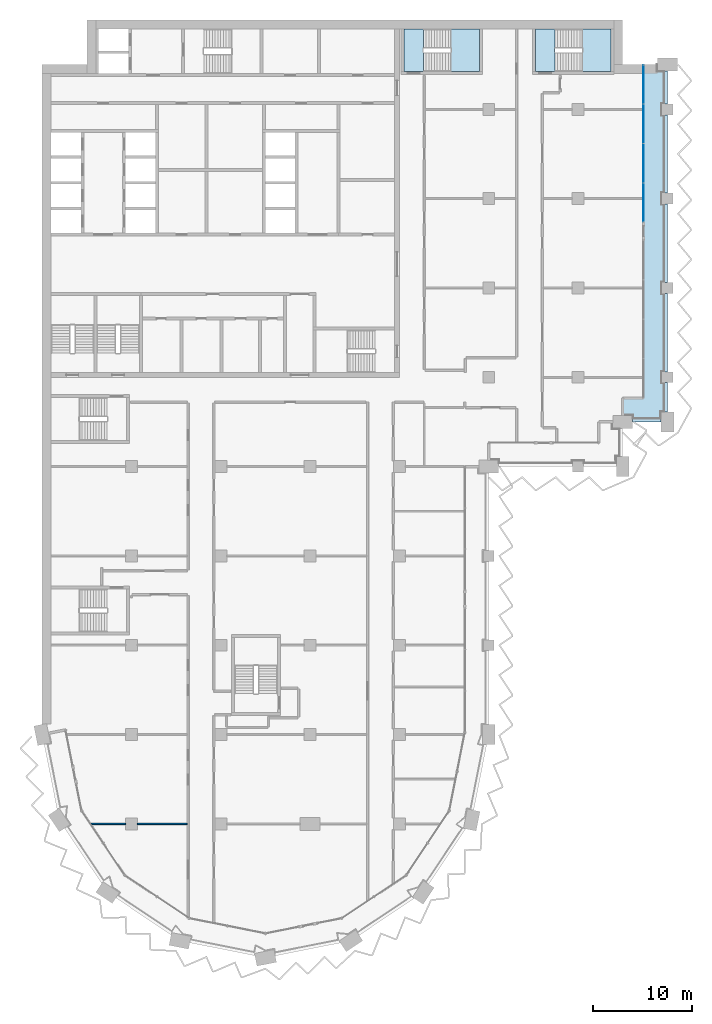
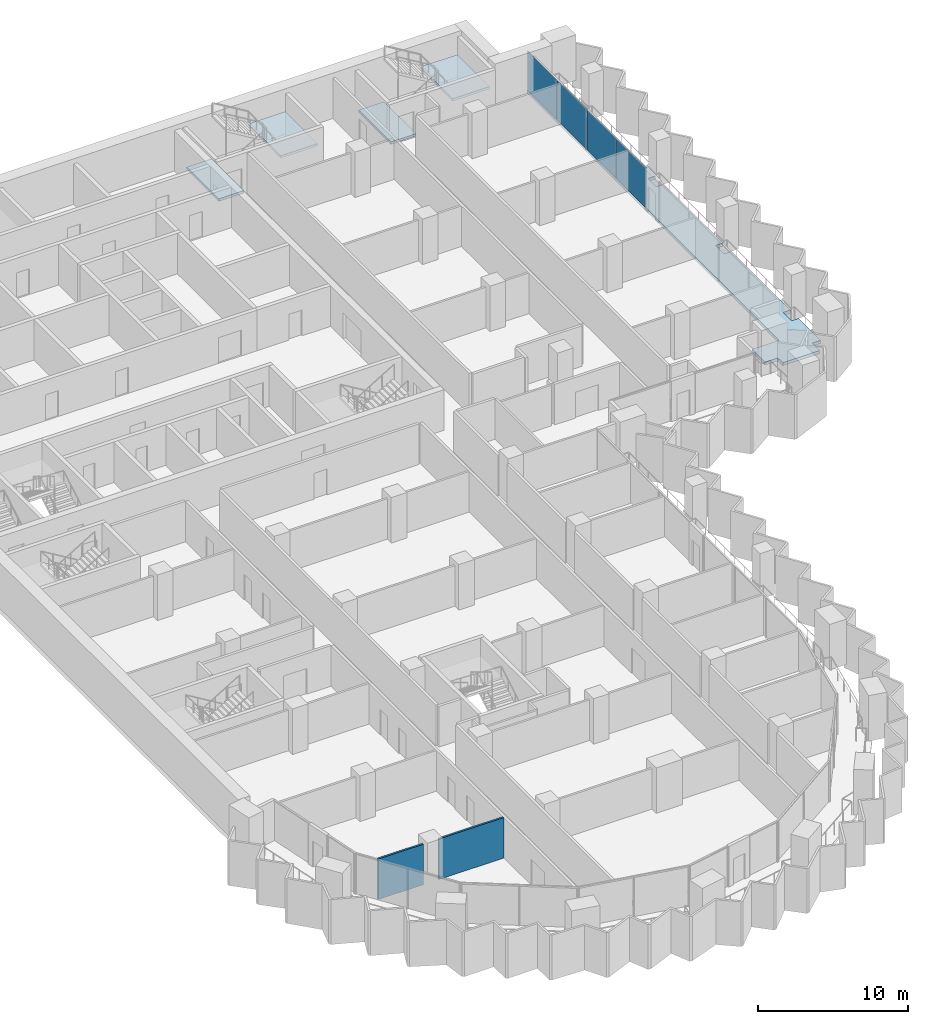
# One storey, part 7 of 22: 5 slabs, 4 plates, 2 walls, 3 elements without a shape of their own.
"""IFC4 building model written with IfcOpenShell, lengths in metres."""

from ifc_helpers import new_model, si_unit, direction, frame, frame_2d, origin, origin_2d, place, context, subcontext, project, spatial, polyline, rectangle, outline, extrude, material, layer, layer_set, type_object, element, aggregate, save


model = new_model("IFC4")

# Units and contexts
model_context = context("Model", 3, precision=1e-05, world=origin(), true_north=direction((0.0, 1.0)))
body_context = subcontext(model_context, "Body", "Model", "MODEL_VIEW")
ifc_project = project(units=[si_unit("LENGTHUNIT", "METRE"), si_unit("AREAUNIT", "SQUARE_METRE"), si_unit("VOLUMEUNIT", "CUBIC_METRE"), si_unit("PLANEANGLEUNIT", "RADIAN"), si_unit("MASSUNIT", "GRAM", prefix="KILO")], contexts=[model_context])

# Site, building, storey
site_placement = place(None, origin())
site = spatial("IfcSite", under=ifc_project, at=site_placement, CompositionType="ELEMENT")
building_placement = place(site_placement, origin())
building = spatial("IfcBuilding", under=site, at=building_placement, Name="Hunhe Ridgeline Campus", CompositionType="ELEMENT")
storey_placement = place(building_placement, frame((0.0, 0.0, 133.800048828125)))
storey = spatial("IfcBuildingStorey", under=building, at=storey_placement, Name="L33", CompositionType="ELEMENT", Elevation=133.800048828125)

# Curtain wall, plates
ifc_material_1 = material(Name="Aluminium 6063", Category="aluminium")
curtain_wall_type = type_object("IfcCurtainWallType", Name="Curtain wall CW-1", PredefinedType="NOTDEFINED", material=ifc_material_1)
curtain_wall_placement = place(storey_placement, origin())
curtain_wall = element("IfcCurtainWall", 1, at=curtain_wall_placement, inside=storey, type_object=curtain_wall_type, Name="Curtain wall 16", PredefinedType="NOTDEFINED")
ifc_material_2 = material(Name="Low-e laminated glass", Category="glass")
ifc_layer_1 = layer(ifc_material_2, 0.028076171875)
ifc_layer_set_1 = layer_set([ifc_layer_1], Name="Curtain wall glass panel 28 low-e laminated")
plate_type = type_object("IfcPlateType", Name="Curtain wall glass panel 28 low-e laminated", PredefinedType="CURTAIN_PANEL", material=ifc_layer_set_1)
plate_1_placement = place(storey_placement, frame((60.59912109375, 80.60302734375, 0.0), z_axis=(0.0, 0.0, 1.0), x_axis=(0.0, 1.0, 0.0)))
plate_1 = element("IfcPlate", 2, at=plate_1_placement, type_object=plate_type, Name="CW-1 panel 1", PredefinedType="CURTAIN_PANEL", context=body_context, shape_type="SweptSolid", body=[
    extrude(rectangle(XDim=3.884765625, YDim=0.028076171875, at=origin_2d()), origin(), (0.0, 0.0, 1.0), 3.239990234375),
])
plate_2_placement = place(storey_placement, frame((60.59912109375, 84.562744140625, 0.0), z_axis=(0.0, 0.0, 1.0), x_axis=(0.0, 1.0, 0.0)))
plate_2 = element("IfcPlate", 3, at=plate_2_placement, type_object=plate_type, Name="CW-1 panel 2", PredefinedType="CURTAIN_PANEL", context=body_context, shape_type="SweptSolid", body=[
    extrude(rectangle(XDim=3.914794921875, YDim=0.028076171875, at=origin_2d()), origin(), (0.0, 0.0, 1.0), 3.239990234375),
])
plate_3_placement = place(storey_placement, frame((60.59912109375, 88.53759765625, 0.0), z_axis=(0.0, 0.0, 1.0), x_axis=(0.0, 1.0, 0.0)))
plate_3 = element("IfcPlate", 4, at=plate_3_placement, type_object=plate_type, Name="CW-1 panel 3", PredefinedType="CURTAIN_PANEL", context=body_context, shape_type="SweptSolid", body=[
    extrude(rectangle(XDim=3.914794921875, YDim=0.028076171875, at=origin_2d()), origin(), (0.0, 0.0, 1.0), 3.239990234375),
])
plate_4_placement = place(storey_placement, frame((60.59912109375, 92.49755859375, 0.0), z_axis=(0.0, 0.0, 1.0), x_axis=(0.0, 1.0, 0.0)))
plate_4 = element("IfcPlate", 5, at=plate_4_placement, type_object=plate_type, Name="CW-1 panel 4", PredefinedType="CURTAIN_PANEL", context=body_context, shape_type="SweptSolid", body=[
    extrude(rectangle(XDim=3.884765625, YDim=0.028076171875, at=origin_2d()), origin(), (0.0, 0.0, 1.0), 3.239990234375),
])
aggregate(curtain_wall, [plate_1, plate_2, plate_3, plate_4])

# Slab
ifc_material_3 = material(Name="Concrete C40", Category="concrete")
ifc_layer_2 = layer(ifc_material_3, 0.25)
ifc_layer_set_2 = layer_set([ifc_layer_2], Name="Loggia slab 250 Concrete C40")
slab_type_1 = type_object("IfcSlabType", Name="Loggia slab 250 Concrete C40", PredefinedType="FLOOR", material=ifc_layer_set_2)
slab_1_placement = place(storey_placement, frame((0.0, 0.0, -0.25)))
element("IfcSlab", 6, at=slab_1_placement, inside=storey, type_object=slab_type_1, Name="Loggia slab 3", PredefinedType="FLOOR", context=body_context, shape_type="SweptSolid", body=[
    extrude(outline(polyline([(58.5, 59.14990234375), (59.5, 59.14990234375), (59.5, 58.5), (62.35009765625, 58.5), (62.35009765625, 59.5), (63.0, 59.5), (63.0, 62.449951171875), (62.449951171875, 62.449951171875), (62.449951171875, 63.550048828125), (63.0, 63.550048828125), (63.0, 71.449951171875), (62.449951171875, 71.449951171875), (62.449951171875, 72.550048828125), (63.0, 72.550048828125), (63.0, 80.449951171875), (62.449951171875, 80.449951171875), (62.449951171875, 81.550048828125), (63.0, 81.550048828125), (63.0, 89.449951171875), (62.449951171875, 89.449951171875), (62.449951171875, 90.550048828125), (63.0, 90.550048828125), (63.0, 93.85009765625), (62.0, 93.85009765625), (62.0, 94.5), (60.60009765625, 94.5), (60.60009765625, 60.89990234375), (58.5, 60.89990234375), (58.5, 59.14990234375)])), origin(), (0.0, 0.0, 1.0), 0.25),
])

# Stair, slab
stair_type = type_object("IfcStairType", Name="Reinforced concrete dog-leg stair 1950 Concrete C40", PredefinedType="HALF_TURN_STAIR", material=ifc_material_3)
stair_1_placement = place(storey_placement, origin())
stair_1 = element("IfcStair", 7, at=stair_1_placement, inside=storey, type_object=stair_type, Name="L33 E1", PredefinedType="HALF_TURN_STAIR")
ifc_layer_3 = layer(ifc_material_3, 0.199951171875)
ifc_layer_set_3 = layer_set([ifc_layer_3], Name="Reinforced concrete stair landing 200 Concrete C40")
slab_type_2 = type_object("IfcSlabType", Name="Reinforced concrete stair landing 200 Concrete C40", PredefinedType="LANDING", material=ifc_layer_set_3)
slab_2_placement = place(storey_placement, frame((0.0, 0.0, 1.64990234375)))
slab_2 = element("IfcSlab", 8, at=slab_2_placement, type_object=slab_type_2, Name="ST5 landing 1", PredefinedType="LANDING", context=body_context, shape_type="SweptSolid", body=[
    extrude(outline(polyline([(41.199951171875, 93.800048828125), (44.050048828125, 93.800048828125), (44.050048828125, 98.10009765625), (41.199951171875, 98.10009765625), (41.199951171875, 93.800048828125)])), origin(), (0.0, 0.0, 1.0), 0.199951171875),
])
aggregate(stair_1, [slab_2])

# Slab
slab_3_placement = place(storey_placement, frame((0.0, 0.0, -0.199951171875)))
element("IfcSlab", 9, at=slab_3_placement, inside=storey, type_object=slab_type_2, Name="L33 stair E1 floor landing", PredefinedType="LANDING", context=body_context, shape_type="SweptSolid", body=[
    extrude(outline(polyline([(36.449951171875, 93.800048828125), (38.39990234375, 93.800048828125), (38.39990234375, 98.10009765625), (36.449951171875, 98.10009765625), (36.449951171875, 93.800048828125)])), origin(), (0.0, 0.0, 1.0), 0.199951171875),
])

# Stair, slab
stair_2_placement = place(storey_placement, origin())
stair_2 = element("IfcStair", 10, at=stair_2_placement, inside=storey, type_object=stair_type, Name="L33 E2", PredefinedType="HALF_TURN_STAIR")
slab_4_placement = place(storey_placement, frame((0.0, 0.0, 1.64990234375)))
slab_4 = element("IfcSlab", 11, at=slab_4_placement, type_object=slab_type_2, Name="ST6 landing 1", PredefinedType="LANDING", context=body_context, shape_type="SweptSolid", body=[
    extrude(outline(polyline([(54.449951171875, 93.800048828125), (57.300048828125, 93.800048828125), (57.300048828125, 98.10009765625), (54.449951171875, 98.10009765625), (54.449951171875, 93.800048828125)])), origin(), (0.0, 0.0, 1.0), 0.199951171875),
])
aggregate(stair_2, [slab_4])

# Slab
slab_5_placement = place(storey_placement, frame((0.0, 0.0, -0.199951171875)))
element("IfcSlab", 12, at=slab_5_placement, inside=storey, type_object=slab_type_2, Name="L33 stair E2 floor landing", PredefinedType="LANDING", context=body_context, shape_type="SweptSolid", body=[
    extrude(outline(polyline([(49.699951171875, 93.800048828125), (51.64990234375, 93.800048828125), (51.64990234375, 98.10009765625), (49.699951171875, 98.10009765625), (49.699951171875, 93.800048828125)])), origin(), (0.0, 0.0, 1.0), 0.199951171875),
])

# Walls
ifc_material_4 = material(Name="Gypsum board partition")
ifc_layer_4 = layer(ifc_material_4, 0.14990234375)
ifc_layer_set_4 = layer_set([ifc_layer_4], Name="Room partition 150 gypsum board on steel studs")
wall_type = type_object("IfcWallType", Name="Room partition 150 gypsum board on steel studs", PredefinedType="PARTITIONING", material=ifc_layer_set_4)
wall_1_placement = place(storey_placement, frame((4.925537109375, 18.0, 0.0), z_axis=(0.0, 0.0, 1.0), x_axis=(1.0, 0.0, 0.0)))
element("IfcWall", 13, at=wall_1_placement, inside=storey, type_object=wall_type, Name="F-L33-wall-001", PredefinedType="PARTITIONING", context=body_context, shape_type="SweptSolid", body=[
    extrude(rectangle(XDim=3.474365234375, YDim=0.14990234375, at=frame_2d((1.7373046875, 0.0))), origin(), (0.0, 0.0, 1.0), 3.300048828125),
])
wall_2_placement = place(storey_placement, frame((9.60009765625, 18.0, 0.0), z_axis=(0.0, 0.0, 1.0), x_axis=(1.0, 0.0, 0.0)))
element("IfcWall", 14, at=wall_2_placement, inside=storey, type_object=wall_type, Name="F-L33-wall-002", PredefinedType="PARTITIONING", context=body_context, shape_type="SweptSolid", body=[
    extrude(rectangle(XDim=5.0, YDim=0.14990234375, at=frame_2d((2.5, 0.0))), origin(), (0.0, 0.0, 1.0), 3.300048828125),
])

save(model, "model.ifc")
